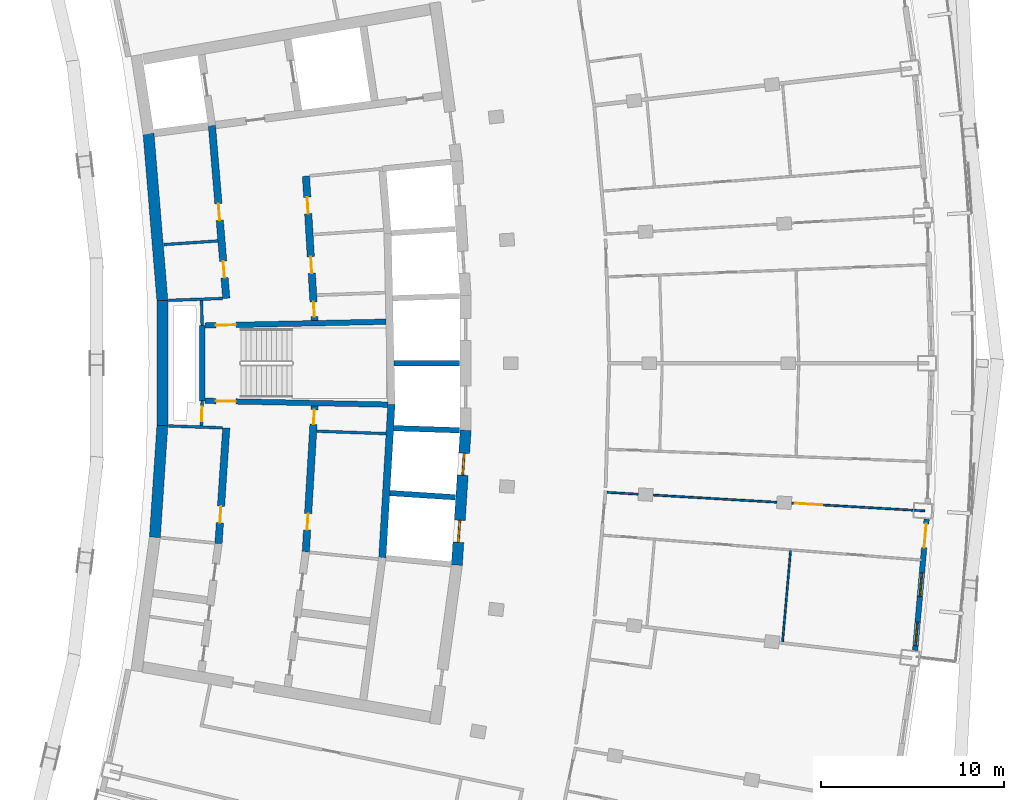
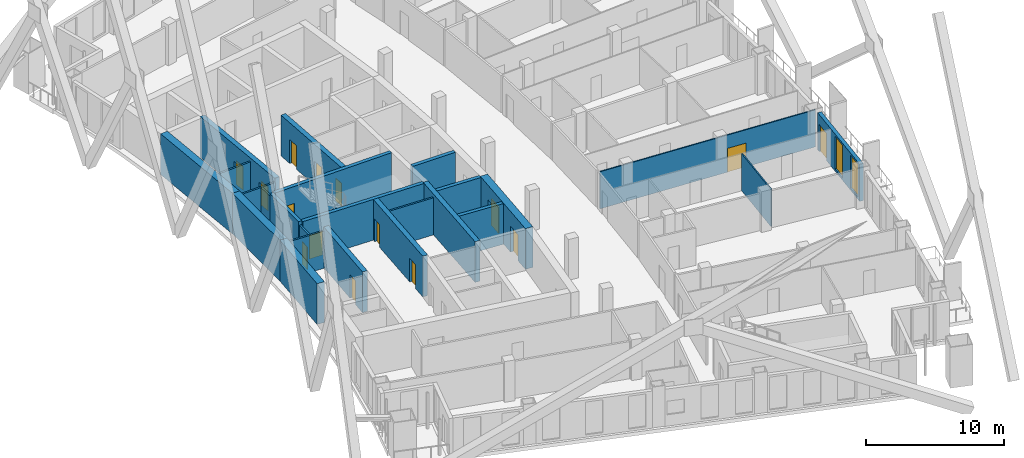
# One storey, part 12 of 20: 24 walls, 15 doors, 2 windows, 17 openings.
"""IFC4 building model written with IfcOpenShell, lengths in metres."""

from ifc_helpers import new_model, si_unit, direction, frame, frame_2d, origin, place, context, subcontext, project, spatial, rectangle, extrude, material, layer, layer_set, type_object, element, fill, save


model = new_model("IFC4")

# Units and contexts
model_context = context("Model", 3, precision=1e-05, world=origin(), true_north=direction((0.0, 1.0)))
body_context = subcontext(model_context, "Body", "Model", "MODEL_VIEW")
ifc_project = project(units=[si_unit("LENGTHUNIT", "METRE"), si_unit("AREAUNIT", "SQUARE_METRE"), si_unit("VOLUMEUNIT", "CUBIC_METRE"), si_unit("PLANEANGLEUNIT", "RADIAN"), si_unit("MASSUNIT", "GRAM", prefix="KILO")], contexts=[model_context])

# Site, building, storey
site_placement = place(None, origin())
site = spatial("IfcSite", under=ifc_project, at=site_placement, CompositionType="ELEMENT")
building_placement = place(site_placement, origin())
building = spatial("IfcBuilding", under=site, at=building_placement, Name="Alderwake Tower", CompositionType="ELEMENT")
storey_placement = place(building_placement, frame((0.0, 0.0, 189.199951171875)))
storey = spatial("IfcBuildingStorey", under=building, at=storey_placement, Name="L46", CompositionType="ELEMENT", Elevation=189.199951171875)

# Wall
ifc_material_1 = material(Name="Gypsum shaft wall system, rated")
ifc_layer_1 = layer(ifc_material_1, 0.14990234375)
ifc_layer_set_1 = layer_set([ifc_layer_1], Name="Core riser partition 150")
wall_type_1 = type_object("IfcWallType", Name="Core riser partition 150", PredefinedType="PARTITIONING", material=ifc_layer_set_1)
wall_1_placement = place(storey_placement, frame((25.1904296875, 57.276611328125, 0.0), z_axis=(0.0, 0.0, 1.0), x_axis=(0.999373547283, -0.03539086028, 0.0)))
element("IfcWall", 1, at=wall_1_placement, inside=storey, type_object=wall_type_1, Name="CW/L46/PR-37_+86", PredefinedType="PARTITIONING", context=body_context, shape_type="SweptSolid", body=[
    extrude(rectangle(XDim=3.794189453125, YDim=0.14990234375, at=frame_2d((1.89697265625, 0.0))), origin(), (0.0, 0.0, 1.0), 3.280029296875),
])

# Wall, opening, door
ifc_material_2 = material(Name="Gypsum shaft wall system, rated")
ifc_layer_2 = layer(ifc_material_2, 0.14990234375)
ifc_layer_set_2 = layer_set([ifc_layer_2], Name="Core room partition 150")
wall_type_2 = type_object("IfcWallType", Name="Core room partition 150", PredefinedType="PARTITIONING", material=ifc_layer_set_2)
wall_2_placement = place(storey_placement, frame((18.918701171875, 58.94384765625, 0.0), z_axis=(0.0, 0.0, 1.0), x_axis=(-0.027811602725, -0.999613182563, 0.0)))
wall_2 = element("IfcWall", 2, at=wall_2_placement, inside=storey, type_object=wall_type_2, Name="CW/L46/PA+24_-37", PredefinedType="PARTITIONING", context=body_context, shape_type="SweptSolid", body=[
    extrude(rectangle(XDim=1.369384765625, YDim=0.14990234375, at=frame_2d((0.6845703125, 0.0))), origin(), (0.0, 0.0, 1.0), 3.280029296875),
])
opening_1_placement = place(wall_2_placement, frame((0.322998046875, 0.0, 0.0)))
opening_1 = element("IfcOpeningElement", 3, at=opening_1_placement, cuts=wall_2, Name="Opening C004", PredefinedType="OPENING", context=body_context, shape_type="SweptSolid", body=[
    extrude(rectangle(XDim=0.800048828125, YDim=2.0, at=frame_2d((0.39990234375, 1.0))), frame((0.0, 0.0849609375, 0.0), z_axis=(0.0, -1.0, 0.0), x_axis=(1.0, 0.0, 0.0)), (0.0, 0.0, 1.0), 0.169921875),
])
ifc_material_3 = material(Name="Painted steel leaf, rated", Category="steel")
door_type_1 = type_object("IfcDoorType", Name="Riser access door 800", OperationType="SINGLE_SWING_LEFT", PredefinedType="DOOR", material=ifc_material_3)
door_1_placement = place(opening_1_placement, origin())
door_1 = element("IfcDoor", 4, at=door_1_placement, inside=storey, type_object=door_type_1, Name="Riser access door", OperationType="SINGLE_SWING_RIGHT", OverallHeight=2.0, OverallWidth=0.800048828125, PredefinedType="DOOR", context=body_context, shape_type="SweptSolid", body=[
    extrude(rectangle(XDim=0.800048828125, YDim=2.0, at=frame_2d((0.39990234375, 1.0))), frame((0.0, 0.02490234375, 0.0), z_axis=(0.0, -1.0, 0.0), x_axis=(1.0, 0.0, 0.0)), (0.0, 0.0, 1.0), 0.050048828125),
])
fill(opening_1, door_1)

# Walls
wall_3_placement = place(storey_placement, frame((18.918701171875, 63.05517578125, 0.0), z_axis=(0.0, 0.0, 1.0), x_axis=(-0.027791791559, 0.99961373356, 0.0)))
element("IfcWall", 5, at=wall_3_placement, inside=storey, type_object=wall_type_2, Name="CW/L46/PA+24_+22", PredefinedType="PARTITIONING", context=body_context, shape_type="SweptSolid", body=[
    extrude(rectangle(XDim=1.370361328125, YDim=0.14990234375, at=frame_2d((0.68505859375, 0.0))), origin(), (0.0, 0.0, 1.0), 3.280029296875),
])
for number, where, z_axis, x_axis, name in (
    (6, (17.0693359375, 57.56396484375, 0.0), (0.0, 0.0, 1.0), (0.999374945052, -0.03535136775, 0.0), "CW/L46/PR-37_+0"),
    (7, (17.0693359375, 64.43603515625, 0.0), (0.0, 0.0, 1.0), (0.999374945052, 0.03535136775, 0.0), "CW/L46/PR+37_+0"),
):
    element("IfcWall", number, at=place(storey_placement, frame(where, z_axis=z_axis, x_axis=x_axis)), inside=storey, type_object=wall_type_2, Name=name, PredefinedType="PARTITIONING", context=body_context, shape_type="SweptSolid", body=[
        extrude(rectangle(XDim=2.9697265625, YDim=0.14990234375, at=frame_2d((1.48486328125, 0.0))), origin(), (0.0, 0.0, 1.0), 3.280029296875),
    ])
wall_4_placement = place(storey_placement, frame((16.81640625, 67.490478515625, 0.0), z_axis=(0.0, 0.0, 1.0), x_axis=(0.997758859926, 0.066912311566, 0.0)))
element("IfcWall", 8, at=wall_4_placement, inside=storey, type_object=wall_type_2, Name="CW/L46/PR+70_+0", PredefinedType="PARTITIONING", context=body_context, shape_type="SweptSolid", body=[
    extrude(rectangle(XDim=2.96630859375, YDim=0.14990234375, at=frame_2d((1.483154296875, 0.0))), origin(), (0.0, 0.0, 1.0), 3.280029296875),
])
ifc_material_4 = material(Name="Concrete C70/85", Category="concrete")
ifc_layer_3 = layer(ifc_material_4, 0.60009765625)
ifc_layer_set_3 = layer_set([ifc_layer_3], Name="Core wall outer 600 C70-85")
wall_type_3 = type_object("IfcWallType", Name="Core wall outer 600 C70-85", PredefinedType="SHEAR", material=ifc_layer_set_3)
wall_5_placement = place(storey_placement, frame((16.330078125, 51.469970703125, 0.0), z_axis=(0.0, 0.0, 1.0), x_axis=(0.066870582109, 0.997761657536, 0.0)))
element("IfcWall", 9, at=wall_5_placement, inside=storey, type_object=wall_type_3, Name="Core wall CW.036", PredefinedType="SHEAR", context=body_context, shape_type="SweptSolid", body=[
    extrude(rectangle(XDim=6.1298828125, YDim=0.60009765625, at=frame_2d((3.06494140625, 0.0))), origin(), (0.0, 0.0, 1.0), 3.60009765625),
])
wall_6_placement = place(storey_placement, frame((16.739501953125, 57.565185546875, 0.0), z_axis=(0.0, 0.0, 1.0), x_axis=(0.0, 1.0, 0.0)))
element("IfcWall", 10, at=wall_6_placement, inside=storey, type_object=wall_type_3, Name="Core wall CW.038", PredefinedType="SHEAR", context=body_context, shape_type="SweptSolid", body=[
    extrude(rectangle(XDim=6.8720703125, YDim=0.60009765625, at=frame_2d((3.43603515625, 0.0))), origin(), (0.0, 0.0, 1.0), 3.60009765625),
])
wall_7_placement = place(storey_placement, frame((16.740478515625, 64.411376953125, 0.0), z_axis=(0.0, 0.0, 1.0), x_axis=(-0.082614307012, 0.996581595393, 0.0)))
element("IfcWall", 11, at=wall_7_placement, inside=storey, type_object=wall_type_3, Name="Core wall CW.035", PredefinedType="SHEAR", context=body_context, shape_type="SweptSolid", body=[
    extrude(rectangle(XDim=9.184814453125, YDim=0.60009765625, at=frame_2d((4.59228515625, 0.0))), origin(), (0.0, 0.0, 1.0), 3.60009765625),
])

# Wall, openings, doors
wall_8_placement = place(storey_placement, frame((32.860107421875, 49.9453125, 0.0), z_axis=(0.0, 0.0, 1.0), x_axis=(0.065013379938, 0.997884392317, 0.0)))
wall_8 = element("IfcWall", 12, at=wall_8_placement, inside=storey, type_object=wall_type_3, Name="Core wall CW.016", PredefinedType="SHEAR", context=body_context, shape_type="SweptSolid", body=[
    extrude(rectangle(XDim=7.39404296875, YDim=0.60009765625, at=frame_2d((3.697021484375, 0.0))), origin(), (0.0, 0.0, 1.0), 3.60009765625),
])
opening_2_placement = place(wall_8_placement, frame((1.254150390625, 0.0, 0.0)))
opening_2 = element("IfcOpeningElement", 13, at=opening_2_placement, cuts=wall_8, Name="Opening LD-HP1", PredefinedType="OPENING", context=body_context, shape_type="SweptSolid", body=[
    extrude(rectangle(XDim=1.199951171875, YDim=2.300048828125, at=frame_2d((0.60009765625, 1.14990234375))), frame((0.0, 0.31005859375, 0.0), z_axis=(0.0, -1.0, 0.0), x_axis=(1.0, 0.0, 0.0)), (0.0, 0.0, 1.0), 0.6201171875),
])
opening_3_placement = place(wall_8_placement, frame((4.941162109375, 0.0, 0.0)))
opening_3 = element("IfcOpeningElement", 14, at=opening_3_placement, cuts=wall_8, Name="Opening LD-HP2", PredefinedType="OPENING", context=body_context, shape_type="SweptSolid", body=[
    extrude(rectangle(XDim=1.199951171875, YDim=2.300048828125, at=frame_2d((0.60009765625, 1.14990234375))), frame((0.0, 0.31005859375, 0.0), z_axis=(0.0, -1.0, 0.0), x_axis=(1.0, 0.0, 0.0)), (0.0, 0.0, 1.0), 0.6201171875),
])
ifc_material_5 = material(Name="Stainless steel sliding leaf", Category="steel")
door_type_2 = type_object("IfcDoorType", Name="Lift landing door 1200", OperationType="SLIDING_TO_LEFT", PredefinedType="DOOR", material=ifc_material_5)
door_2_placement = place(opening_2_placement, origin())
door_2 = element("IfcDoor", 15, at=door_2_placement, inside=storey, type_object=door_type_2, Name="Lift landing door HP1", OperationType="SLIDING_TO_LEFT", OverallHeight=2.300048828125, OverallWidth=1.199951171875, PredefinedType="DOOR", context=body_context, shape_type="SweptSolid", body=[
    extrude(rectangle(XDim=1.199951171875, YDim=2.300048828125, at=frame_2d((0.60009765625, 1.14990234375))), frame((0.0, 0.050048828125, 0.0), z_axis=(0.0, -1.0, 0.0), x_axis=(1.0, 0.0, 0.0)), (0.0, 0.0, 1.0), 0.10009765625),
])
fill(opening_2, door_2)
door_3_placement = place(opening_3_placement, origin())
door_3 = element("IfcDoor", 16, at=door_3_placement, inside=storey, type_object=door_type_2, Name="Lift landing door HP2", OperationType="SLIDING_TO_LEFT", OverallHeight=2.300048828125, OverallWidth=1.199951171875, PredefinedType="DOOR", context=body_context, shape_type="SweptSolid", body=[
    extrude(rectangle(XDim=1.199951171875, YDim=2.300048828125, at=frame_2d((0.60009765625, 1.14990234375))), frame((0.0, 0.050048828125, 0.0), z_axis=(0.0, -1.0, 0.0), x_axis=(1.0, 0.0, 0.0)), (0.0, 0.0, 1.0), 0.10009765625),
])
fill(opening_3, door_3)

# Walls
ifc_material_6 = material(Name="Concrete C70/85", Category="concrete")
ifc_layer_4 = layer(ifc_material_6, 0.300048828125)
ifc_layer_set_4 = layer_set([ifc_layer_4], Name="Core wall shaft 300 C70-85")
wall_type_4 = type_object("IfcWallType", Name="Core wall shaft 300 C70-85", PredefinedType="SHEAR", material=ifc_layer_set_4)
wall_9_placement = place(storey_placement, frame((29.190185546875, 53.8896484375, 0.0), z_axis=(0.0, 0.0, 1.0), x_axis=(0.997887207314, -0.064970158371, 0.0)))
element("IfcWall", 17, at=wall_9_placement, inside=storey, type_object=wall_type_4, Name="Core wall CW.078", PredefinedType="SHEAR", context=body_context, shape_type="SweptSolid", body=[
    extrude(rectangle(XDim=3.588623046875, YDim=0.300048828125, at=frame_2d((1.79443359375, 0.0))), origin(), (0.0, 0.0, 1.0), 3.60009765625),
])
wall_10_placement = place(storey_placement, frame((29.400634765625, 57.441650390625, 0.0), z_axis=(0.0, 0.0, 1.0), x_axis=(0.999471151072, -0.032517966969, 0.0)))
element("IfcWall", 18, at=wall_10_placement, inside=storey, type_object=wall_type_4, Name="Core wall CW.075", PredefinedType="SHEAR", context=body_context, shape_type="SweptSolid", body=[
    extrude(rectangle(XDim=3.611328125, YDim=0.300048828125, at=frame_2d((1.8056640625, 0.0))), origin(), (0.0, 0.0, 1.0), 3.60009765625),
])
wall_11_placement = place(storey_placement, frame((29.426025390625, 61.0, 0.0), z_axis=(0.0, 0.0, 1.0), x_axis=(1.0, 0.0, 0.0)))
element("IfcWall", 19, at=wall_11_placement, inside=storey, type_object=wall_type_4, Name="Core wall CW.048", PredefinedType="SHEAR", context=body_context, shape_type="SweptSolid", body=[
    extrude(rectangle(XDim=3.583984375, YDim=0.300048828125, at=frame_2d((1.7919921875, 0.0))), origin(), (0.0, 0.0, 1.0), 3.60009765625),
])

# Wall, opening, door
ifc_material_7 = material(Name="Concrete C70/85", Category="concrete")
ifc_layer_5 = layer(ifc_material_7, 0.39990234375)
ifc_layer_set_5 = layer_set([ifc_layer_5], Name="Core wall spine 400 C70-85")
wall_type_5 = type_object("IfcWallType", Name="Core wall spine 400 C70-85", PredefinedType="SHEAR", material=ifc_layer_set_5)
wall_12_placement = place(storey_placement, frame((20.2373046875, 57.451904296875, 0.0), z_axis=(0.0, 0.0, 1.0), x_axis=(-0.066884681503, -0.997760712486, 0.0)))
wall_12 = element("IfcWall", 20, at=wall_12_placement, inside=storey, type_object=wall_type_5, Name="Core wall CW.032", PredefinedType="SHEAR", context=body_context, shape_type="SweptSolid", body=[
    extrude(rectangle(XDim=6.336669921875, YDim=0.39990234375, at=frame_2d((3.16845703125, 0.0))), origin(), (0.0, 0.0, 1.0), 3.60009765625),
])
opening_4_placement = place(wall_12_placement, frame((4.297119140625, 0.0, 0.0)))
opening_4 = element("IfcOpeningElement", 21, at=opening_4_placement, cuts=wall_12, Name="Opening C040", PredefinedType="OPENING", context=body_context, shape_type="SweptSolid", body=[
    extrude(rectangle(XDim=0.89990234375, YDim=2.10009765625, at=frame_2d((0.449951171875, 1.050048828125))), frame((0.0, 0.2099609375, 0.0), z_axis=(0.0, -1.0, 0.0), x_axis=(1.0, 0.0, 0.0)), (0.0, 0.0, 1.0), 0.419921875),
])
ifc_material_8 = material(Name="Painted steel leaf", Category="steel")
door_type_3 = type_object("IfcDoorType", Name="Core room door 900", OperationType="SINGLE_SWING_LEFT", PredefinedType="DOOR", material=ifc_material_8)
door_4_placement = place(opening_4_placement, origin())
door_4 = element("IfcDoor", 22, at=door_4_placement, inside=storey, type_object=door_type_3, Name="Room door", OperationType="SINGLE_SWING_RIGHT", OverallHeight=2.10009765625, OverallWidth=0.89990234375, PredefinedType="DOOR", context=body_context, shape_type="SweptSolid", body=[
    extrude(rectangle(XDim=0.89990234375, YDim=2.10009765625, at=frame_2d((0.449951171875, 1.050048828125))), frame((0.0, 0.02490234375, 0.0), z_axis=(0.0, -1.0, 0.0), x_axis=(1.0, 0.0, 0.0)), (0.0, 0.0, 1.0), 0.050048828125),
])
fill(opening_4, door_4)

# Wall, openings, doors
wall_13_placement = place(storey_placement, frame((19.452392578125, 74.014892578125, 0.0), z_axis=(0.0, 0.0, 1.0), x_axis=(0.082628585297, -0.996580411654, 0.0)))
wall_13 = element("IfcWall", 23, at=wall_13_placement, inside=storey, type_object=wall_type_5, Name="Core wall CW.031", PredefinedType="SHEAR", context=body_context, shape_type="SweptSolid", body=[
    extrude(rectangle(XDim=9.499267578125, YDim=0.39990234375, at=frame_2d((4.74951171875, 0.0))), origin(), (0.0, 0.0, 1.0), 3.60009765625),
])
opening_5_placement = place(wall_13_placement, frame((7.468017578125, 0.0, 0.0)))
opening_5 = element("IfcOpeningElement", 24, at=opening_5_placement, cuts=wall_13, Name="Opening C053", PredefinedType="OPENING", context=body_context, shape_type="SweptSolid", body=[
    extrude(rectangle(XDim=0.89990234375, YDim=2.10009765625, at=frame_2d((0.449951171875, 1.050048828125))), frame((0.0, 0.2099609375, 0.0), z_axis=(0.0, -1.0, 0.0), x_axis=(1.0, 0.0, 0.0)), (0.0, 0.0, 1.0), 0.419921875),
])
opening_6_placement = place(wall_13_placement, frame((4.30322265625, 0.0, 0.0)))
opening_6 = element("IfcOpeningElement", 25, at=opening_6_placement, cuts=wall_13, Name="Opening C054", PredefinedType="OPENING", context=body_context, shape_type="SweptSolid", body=[
    extrude(rectangle(XDim=0.89990234375, YDim=2.10009765625, at=frame_2d((0.449951171875, 1.050048828125))), frame((0.0, 0.2099609375, 0.0), z_axis=(0.0, -1.0, 0.0), x_axis=(1.0, 0.0, 0.0)), (0.0, 0.0, 1.0), 0.419921875),
])
door_5_placement = place(opening_5_placement, origin())
door_5 = element("IfcDoor", 26, at=door_5_placement, inside=storey, type_object=door_type_3, Name="Room door", OperationType="SINGLE_SWING_LEFT", OverallHeight=2.10009765625, OverallWidth=0.89990234375, PredefinedType="DOOR", context=body_context, shape_type="SweptSolid", body=[
    extrude(rectangle(XDim=0.89990234375, YDim=2.10009765625, at=frame_2d((0.449951171875, 1.050048828125))), frame((0.0, 0.02490234375, 0.0), z_axis=(0.0, -1.0, 0.0), x_axis=(1.0, 0.0, 0.0)), (0.0, 0.0, 1.0), 0.050048828125),
])
fill(opening_5, door_5)
door_6_placement = place(opening_6_placement, origin())
door_6 = element("IfcDoor", 27, at=door_6_placement, inside=storey, type_object=door_type_3, Name="Room door", OperationType="SINGLE_SWING_RIGHT", OverallHeight=2.10009765625, OverallWidth=0.89990234375, PredefinedType="DOOR", context=body_context, shape_type="SweptSolid", body=[
    extrude(rectangle(XDim=0.89990234375, YDim=2.10009765625, at=frame_2d((0.449951171875, 1.050048828125))), frame((0.0, 0.02490234375, 0.0), z_axis=(0.0, -1.0, 0.0), x_axis=(1.0, 0.0, 0.0)), (0.0, 0.0, 1.0), 0.050048828125),
])
fill(opening_6, door_6)

wall_14_placement = place(storey_placement, frame((24.590087890625, 50.65673828125, 0.0), z_axis=(0.0, 0.0, 1.0), x_axis=(0.060318641452, 0.998179173041, 0.0)))
wall_14 = element("IfcWall", 28, at=wall_14_placement, inside=storey, type_object=wall_type_5, Name="Core wall CW.046", PredefinedType="SHEAR", context=body_context, shape_type="SweptSolid", body=[
    extrude(rectangle(XDim=8.022216796875, YDim=0.39990234375, at=frame_2d((4.01123046875, 0.0))), origin(), (0.0, 0.0, 1.0), 3.60009765625),
])
opening_7_placement = place(wall_14_placement, frame((7.006103515625, 0.0, 0.0)))
opening_7 = element("IfcOpeningElement", 29, at=opening_7_placement, cuts=wall_14, Name="Opening C006", PredefinedType="OPENING", context=body_context, shape_type="SweptSolid", body=[
    extrude(rectangle(XDim=0.800048828125, YDim=2.0, at=frame_2d((0.39990234375, 1.0))), frame((0.0, 0.2099609375, 0.0), z_axis=(0.0, -1.0, 0.0), x_axis=(1.0, 0.0, 0.0)), (0.0, 0.0, 1.0), 0.419921875),
])
opening_8_placement = place(wall_14_placement, frame((1.21533203125, 0.0, 0.0)))
opening_8 = element("IfcOpeningElement", 30, at=opening_8_placement, cuts=wall_14, Name="Opening C046", PredefinedType="OPENING", context=body_context, shape_type="SweptSolid", body=[
    extrude(rectangle(XDim=0.89990234375, YDim=2.10009765625, at=frame_2d((0.449951171875, 1.050048828125))), frame((0.0, 0.2099609375, 0.0), z_axis=(0.0, -1.0, 0.0), x_axis=(1.0, 0.0, 0.0)), (0.0, 0.0, 1.0), 0.419921875),
])
door_7_placement = place(opening_8_placement, origin())
door_7 = element("IfcDoor", 31, at=door_7_placement, inside=storey, type_object=door_type_3, Name="Room door", OperationType="SINGLE_SWING_RIGHT", OverallHeight=2.10009765625, OverallWidth=0.89990234375, PredefinedType="DOOR", context=body_context, shape_type="SweptSolid", body=[
    extrude(rectangle(XDim=0.89990234375, YDim=2.10009765625, at=frame_2d((0.449951171875, 1.050048828125))), frame((0.0, 0.02490234375, 0.0), z_axis=(0.0, -1.0, 0.0), x_axis=(1.0, 0.0, 0.0)), (0.0, 0.0, 1.0), 0.050048828125),
])
fill(opening_8, door_7)
door_8_placement = place(opening_7_placement, origin())
door_8 = element("IfcDoor", 32, at=door_8_placement, inside=storey, type_object=door_type_1, Name="Riser access door", OperationType="SINGLE_SWING_RIGHT", OverallHeight=2.0, OverallWidth=0.800048828125, PredefinedType="DOOR", context=body_context, shape_type="SweptSolid", body=[
    extrude(rectangle(XDim=0.800048828125, YDim=2.0, at=frame_2d((0.39990234375, 1.0))), frame((0.0, 0.02490234375, 0.0), z_axis=(0.0, -1.0, 0.0), x_axis=(1.0, 0.0, 0.0)), (0.0, 0.0, 1.0), 0.050048828125),
])
fill(opening_7, door_8)

wall_15_placement = place(storey_placement, frame((25.073974609375, 63.335693359375, 0.0), z_axis=(0.0, 0.0, 1.0), x_axis=(-0.059848641072, 0.998207463487, 0.0)))
wall_15 = element("IfcWall", 33, at=wall_15_placement, inside=storey, type_object=wall_type_5, Name="Core wall CW.045", PredefinedType="SHEAR", context=body_context, shape_type="SweptSolid", body=[
    extrude(rectangle(XDim=7.913818359375, YDim=0.39990234375, at=frame_2d((3.95703125, 0.0))), origin(), (0.0, 0.0, 1.0), 3.60009765625),
])
opening_9_placement = place(wall_15_placement, frame((0.216064453125, 0.0, 0.0)))
opening_9 = element("IfcOpeningElement", 34, at=opening_9_placement, cuts=wall_15, Name="Opening C005", PredefinedType="OPENING", context=body_context, shape_type="SweptSolid", body=[
    extrude(rectangle(XDim=0.800048828125, YDim=2.0, at=frame_2d((0.39990234375, 1.0))), frame((0.0, 0.2099609375, 0.0), z_axis=(0.0, -1.0, 0.0), x_axis=(1.0, 0.0, 0.0)), (0.0, 0.0, 1.0), 0.419921875),
])
opening_10_placement = place(wall_15_placement, frame((5.856201171875, 0.0, 0.0)))
opening_10 = element("IfcOpeningElement", 35, at=opening_10_placement, cuts=wall_15, Name="Opening C023", PredefinedType="OPENING", context=body_context, shape_type="SweptSolid", body=[
    extrude(rectangle(XDim=0.89990234375, YDim=2.10009765625, at=frame_2d((0.449951171875, 1.050048828125))), frame((0.0, 0.2099609375, 0.0), z_axis=(0.0, -1.0, 0.0), x_axis=(1.0, 0.0, 0.0)), (0.0, 0.0, 1.0), 0.419921875),
])
opening_11_placement = place(wall_15_placement, frame((2.590087890625, 0.0, 0.0)))
opening_11 = element("IfcOpeningElement", 36, at=opening_11_placement, cuts=wall_15, Name="Opening C059", PredefinedType="OPENING", context=body_context, shape_type="SweptSolid", body=[
    extrude(rectangle(XDim=0.89990234375, YDim=2.10009765625, at=frame_2d((0.449951171875, 1.050048828125))), frame((0.0, 0.2099609375, 0.0), z_axis=(0.0, -1.0, 0.0), x_axis=(1.0, 0.0, 0.0)), (0.0, 0.0, 1.0), 0.419921875),
])
door_9_placement = place(opening_10_placement, origin())
door_9 = element("IfcDoor", 37, at=door_9_placement, inside=storey, type_object=door_type_3, Name="Room door", OperationType="SINGLE_SWING_RIGHT", OverallHeight=2.10009765625, OverallWidth=0.89990234375, PredefinedType="DOOR", context=body_context, shape_type="SweptSolid", body=[
    extrude(rectangle(XDim=0.89990234375, YDim=2.10009765625, at=frame_2d((0.449951171875, 1.050048828125))), frame((0.0, 0.02490234375, 0.0), z_axis=(0.0, -1.0, 0.0), x_axis=(1.0, 0.0, 0.0)), (0.0, 0.0, 1.0), 0.050048828125),
])
fill(opening_10, door_9)
door_10_placement = place(opening_11_placement, origin())
door_10 = element("IfcDoor", 38, at=door_10_placement, inside=storey, type_object=door_type_3, Name="Room door", OperationType="SINGLE_SWING_LEFT", OverallHeight=2.10009765625, OverallWidth=0.89990234375, PredefinedType="DOOR", context=body_context, shape_type="SweptSolid", body=[
    extrude(rectangle(XDim=0.89990234375, YDim=2.10009765625, at=frame_2d((0.449951171875, 1.050048828125))), frame((0.0, 0.02490234375, 0.0), z_axis=(0.0, -1.0, 0.0), x_axis=(1.0, 0.0, 0.0)), (0.0, 0.0, 1.0), 0.050048828125),
])
fill(opening_11, door_10)
door_11_placement = place(opening_9_placement, origin())
door_11 = element("IfcDoor", 39, at=door_11_placement, inside=storey, type_object=door_type_1, Name="Riser access door", OperationType="SINGLE_SWING_LEFT", OverallHeight=2.0, OverallWidth=0.800048828125, PredefinedType="DOOR", context=body_context, shape_type="SweptSolid", body=[
    extrude(rectangle(XDim=0.800048828125, YDim=2.0, at=frame_2d((0.39990234375, 1.0))), frame((0.0, 0.02490234375, 0.0), z_axis=(0.0, -1.0, 0.0), x_axis=(1.0, 0.0, 0.0)), (0.0, 0.0, 1.0), 0.050048828125),
])
fill(opening_9, door_11)

# Walls
wall_16_placement = place(storey_placement, frame((28.780029296875, 50.34765625, 0.0), z_axis=(0.0, 0.0, 1.0), x_axis=(0.05912910263, 0.998250343963, 0.0)))
element("IfcWall", 40, at=wall_16_placement, inside=storey, type_object=wall_type_5, Name="Core wall CW.004", PredefinedType="SHEAR", context=body_context, shape_type="SweptSolid", body=[
    extrude(rectangle(XDim=8.40234375, YDim=0.39990234375, at=frame_2d((4.201171875, 0.0))), origin(), (0.0, 0.0, 1.0), 3.60009765625),
])
ifc_material_9 = material(Name="Concrete C70/85", Category="concrete")
ifc_layer_6 = layer(ifc_material_9, 0.300048828125)
ifc_layer_set_6 = layer_set([ifc_layer_6], Name="Core wall stair enclosure 300 C70-85")
wall_type_6 = type_object("IfcWallType", Name="Core wall stair enclosure 300 C70-85", PredefinedType="SHEAR", material=ifc_layer_set_6)
wall_17_placement = place(storey_placement, frame((18.918701171875, 58.940673828125, 0.0), z_axis=(0.0, 0.0, 1.0), x_axis=(0.0, 1.0, 0.0)))
element("IfcWall", 41, at=wall_17_placement, inside=storey, type_object=wall_type_6, Name="Core wall CW.024", PredefinedType="SHEAR", context=body_context, shape_type="SweptSolid", body=[
    extrude(rectangle(XDim=4.11962890625, YDim=0.300048828125, at=frame_2d((2.059814453125, 0.0))), origin(), (0.0, 0.0, 1.0), 3.60009765625),
])

# Wall, opening, door
wall_18_placement = place(storey_placement, frame((29.076416015625, 58.73095703125, 0.0), z_axis=(0.0, 0.0, 1.0), x_axis=(-0.99978356433, 0.020804434533, 0.0)))
wall_18 = element("IfcWall", 42, at=wall_18_placement, inside=storey, type_object=wall_type_6, Name="Core wall CW.074", PredefinedType="SHEAR", context=body_context, shape_type="SweptSolid", body=[
    extrude(rectangle(XDim=10.010009765625, YDim=0.300048828125, at=frame_2d((5.0048828125, 0.0))), origin(), (0.0, 0.0, 1.0), 3.60009765625),
])
opening_12_placement = place(wall_18_placement, frame((8.309814453125, 0.0, 0.0)))
opening_12 = element("IfcOpeningElement", 43, at=opening_12_placement, cuts=wall_18, Name="Opening C063", PredefinedType="OPENING", context=body_context, shape_type="SweptSolid", body=[
    extrude(rectangle(XDim=1.10009765625, YDim=2.10009765625, at=frame_2d((0.550048828125, 1.050048828125))), frame((0.0, 0.159912109375, 0.0), z_axis=(0.0, -1.0, 0.0), x_axis=(1.0, 0.0, 0.0)), (0.0, 0.0, 1.0), 0.320068359375),
])
ifc_material_10 = material(Name="Steel-framed fire door leaf", Category="steel")
door_type_4 = type_object("IfcDoorType", Name="Core stair door 1100 fire-rated", OperationType="SINGLE_SWING_LEFT", PredefinedType="DOOR", material=ifc_material_10)
door_12_placement = place(opening_12_placement, origin())
door_12 = element("IfcDoor", 44, at=door_12_placement, inside=storey, type_object=door_type_4, Name="Stair door", OperationType="SINGLE_SWING_RIGHT", OverallHeight=2.10009765625, OverallWidth=1.10009765625, PredefinedType="DOOR", context=body_context, shape_type="SweptSolid", body=[
    extrude(rectangle(XDim=1.10009765625, YDim=2.10009765625, at=frame_2d((0.550048828125, 1.050048828125))), frame((0.0, 0.02490234375, 0.0), z_axis=(0.0, -1.0, 0.0), x_axis=(1.0, 0.0, 0.0)), (0.0, 0.0, 1.0), 0.050048828125),
])
fill(opening_12, door_12)

wall_19_placement = place(storey_placement, frame((19.068603515625, 63.060791015625, 0.0), z_axis=(0.0, 0.0, 1.0), x_axis=(0.999783782948, 0.020793925895, 0.0)))
wall_19 = element("IfcWall", 45, at=wall_19_placement, inside=storey, type_object=wall_type_6, Name="Core wall CW.057", PredefinedType="SHEAR", context=body_context, shape_type="SweptSolid", body=[
    extrude(rectangle(XDim=9.909423828125, YDim=0.300048828125, at=frame_2d((4.95458984375, 0.0))), origin(), (0.0, 0.0, 1.0), 3.60009765625),
])
opening_13_placement = place(wall_19_placement, frame((0.60009765625, 0.0, 0.0)))
opening_13 = element("IfcOpeningElement", 46, at=opening_13_placement, cuts=wall_19, Name="Opening C064", PredefinedType="OPENING", context=body_context, shape_type="SweptSolid", body=[
    extrude(rectangle(XDim=1.10009765625, YDim=2.10009765625, at=frame_2d((0.550048828125, 1.050048828125))), frame((0.0, 0.159912109375, 0.0), z_axis=(0.0, -1.0, 0.0), x_axis=(1.0, 0.0, 0.0)), (0.0, 0.0, 1.0), 0.320068359375),
])
door_13_placement = place(opening_13_placement, origin())
door_13 = element("IfcDoor", 47, at=door_13_placement, inside=storey, type_object=door_type_4, Name="Stair door", OperationType="SINGLE_SWING_LEFT", OverallHeight=2.10009765625, OverallWidth=1.10009765625, PredefinedType="DOOR", context=body_context, shape_type="SweptSolid", body=[
    extrude(rectangle(XDim=1.10009765625, YDim=2.10009765625, at=frame_2d((0.550048828125, 1.050048828125))), frame((0.0, 0.02490234375, 0.0), z_axis=(0.0, -1.0, 0.0), x_axis=(1.0, 0.0, 0.0)), (0.0, 0.0, 1.0), 0.050048828125),
])
fill(opening_13, door_13)

# Wall, openings, door, windows
ifc_material_11 = material(Name="Precast concrete C50/60 spandrel panel", Category="concrete")
ifc_layer_7 = layer(ifc_material_11, 0.300048828125)
ifc_layer_set_7 = layer_set([ifc_layer_7], Name="External wall EW1 Precast concrete C50/60 spandrel")
wall_type_7 = type_object("IfcWallType", Name="External wall EW1 Precast concrete C50/60 spandrel", PredefinedType="SOLIDWALL", material=ifc_layer_set_7)
wall_20_placement = place(storey_placement, frame((57.9453125, 45.283203125, 0.0), z_axis=(0.0, 0.0, 1.0), x_axis=(0.087372536775, 0.996175707301, 0.0)))
wall_20 = element("IfcWall", 48, at=wall_20_placement, inside=storey, type_object=wall_type_7, Name="External wall 14", PredefinedType="SOLIDWALL", context=body_context, shape_type="SweptSolid", body=[
    extrude(rectangle(XDim=7.20361328125, YDim=0.300048828125, at=frame_2d((3.601806640625, 0.0))), origin(), (0.0, 0.0, 1.0), 3.280029296875),
])
opening_14_placement = place(wall_20_placement, frame((0.257080078125, 0.0, 0.199951171875)))
opening_14 = element("IfcOpeningElement", 49, at=opening_14_placement, cuts=wall_20, Name="Opening W1", PredefinedType="OPENING", context=body_context, shape_type="SweptSolid", body=[
    extrude(rectangle(XDim=1.300048828125, YDim=2.89990234375, at=frame_2d((0.64990234375, 1.449951171875))), frame((0.0, 0.159912109375, 0.0), z_axis=(0.0, -1.0, 0.0), x_axis=(1.0, 0.0, 0.0)), (0.0, 0.0, 1.0), 0.320068359375),
])
opening_15_placement = place(wall_20_placement, frame((2.951904296875, 0.0, 0.199951171875)))
opening_15 = element("IfcOpeningElement", 50, at=opening_15_placement, cuts=wall_20, Name="Opening W1", PredefinedType="OPENING", context=body_context, shape_type="SweptSolid", body=[
    extrude(rectangle(XDim=1.300048828125, YDim=2.89990234375, at=frame_2d((0.64990234375, 1.449951171875))), frame((0.0, 0.159912109375, 0.0), z_axis=(0.0, -1.0, 0.0), x_axis=(1.0, 0.0, 0.0)), (0.0, 0.0, 1.0), 0.320068359375),
])
opening_16_placement = place(wall_20_placement, frame((5.646484375, 0.0, 0.0)))
opening_16 = element("IfcOpeningElement", 51, at=opening_16_placement, cuts=wall_20, Name="Opening D03", PredefinedType="OPENING", context=body_context, shape_type="SweptSolid", body=[
    extrude(rectangle(XDim=1.300048828125, YDim=2.39990234375, at=frame_2d((0.64990234375, 1.199951171875))), frame((0.0, 0.159912109375, 0.0), z_axis=(0.0, -1.0, 0.0), x_axis=(1.0, 0.0, 0.0)), (0.0, 0.0, 1.0), 0.320068359375),
])
ifc_material_12 = material(Name="Bronze tinted glass in aluminium frame", Category="aluminium")
door_type_5 = type_object("IfcDoorType", Name="Balcony door BD sliding", OperationType="SLIDING_TO_LEFT", PredefinedType="DOOR", material=ifc_material_12)
door_14_placement = place(opening_16_placement, origin())
door_14 = element("IfcDoor", 52, at=door_14_placement, inside=storey, type_object=door_type_5, Name="Door D03", OperationType="SLIDING_TO_LEFT", OverallHeight=2.39990234375, OverallWidth=1.300048828125, PredefinedType="DOOR", context=body_context, shape_type="SweptSolid", body=[
    extrude(rectangle(XDim=1.300048828125, YDim=2.39990234375, at=frame_2d((0.64990234375, 1.199951171875))), frame((0.0, 0.02490234375, 0.0), z_axis=(0.0, -1.0, 0.0), x_axis=(1.0, 0.0, 0.0)), (0.0, 0.0, 1.0), 0.050048828125),
])
fill(opening_16, door_14)
ifc_material_13 = material(Name="Bronze tinted glass in aluminium frame", Category="aluminium")
window_type = type_object("IfcWindowType", Name="Window W1 tall fixed and vent", PartitioningType="DOUBLE_PANEL_VERTICAL", PredefinedType="WINDOW", material=ifc_material_13)
window_1_placement = place(opening_14_placement, origin())
window_1 = element("IfcWindow", 53, at=window_1_placement, inside=storey, type_object=window_type, Name="Window W1 tall fixed and vent", OverallHeight=2.89990234375, OverallWidth=1.300048828125, PartitioningType="DOUBLE_PANEL_VERTICAL", PredefinedType="WINDOW", context=body_context, shape_type="SweptSolid", body=[
    extrude(rectangle(XDim=1.300048828125, YDim=2.89990234375, at=frame_2d((0.64990234375, 1.449951171875))), frame((0.0, 0.030029296875, 0.0), z_axis=(0.0, -1.0, 0.0), x_axis=(1.0, 0.0, 0.0)), (0.0, 0.0, 1.0), 0.06005859375),
])
fill(opening_14, window_1)
window_2_placement = place(opening_15_placement, origin())
window_2 = element("IfcWindow", 54, at=window_2_placement, inside=storey, type_object=window_type, Name="Window W1 tall fixed and vent", OverallHeight=2.89990234375, OverallWidth=1.300048828125, PartitioningType="DOUBLE_PANEL_VERTICAL", PredefinedType="WINDOW", context=body_context, shape_type="SweptSolid", body=[
    extrude(rectangle(XDim=1.300048828125, YDim=2.89990234375, at=frame_2d((0.64990234375, 1.449951171875))), frame((0.0, 0.030029296875, 0.0), z_axis=(0.0, -1.0, 0.0), x_axis=(1.0, 0.0, 0.0)), (0.0, 0.0, 1.0), 0.06005859375),
])
fill(opening_15, window_2)

# Wall
ifc_material_14 = material(Name="Gypsum board on metal studs")
ifc_layer_8 = layer(ifc_material_14, 0.10009765625)
ifc_layer_set_8 = layer_set([ifc_layer_8], Name="Unit partition 100")
wall_type_8 = type_object("IfcWallType", Name="Unit partition 100", PredefinedType="PARTITIONING", material=ifc_layer_set_8)
wall_21_placement = place(storey_placement, frame((50.68896484375, 45.763671875, 0.0), z_axis=(0.0, 0.0, 1.0), x_axis=(0.087343685822, 0.996178237339, 0.0)))
element("IfcWall", 55, at=wall_21_placement, inside=storey, type_object=wall_type_8, Name="WL/L46/W51", PredefinedType="PARTITIONING", context=body_context, shape_type="SweptSolid", body=[
    extrude(rectangle(XDim=4.986572265625, YDim=0.10009765625, at=frame_2d((2.4931640625, 0.0))), origin(), (0.0, 0.0, 1.0), 3.280029296875),
])

# Wall, opening, door
wall_22_placement = place(storey_placement, frame((41.074951171875, 53.92919921875, 0.0), z_axis=(0.0, 0.0, 1.0), x_axis=(0.998300373254, -0.058278338696, 0.0)))
wall_22 = element("IfcWall", 56, at=wall_22_placement, inside=storey, type_object=wall_type_8, Name="WL/L46/W55", PredefinedType="PARTITIONING", context=body_context, shape_type="SweptSolid", body=[
    extrude(rectangle(XDim=17.418701171875, YDim=0.10009765625, at=frame_2d((8.70947265625, 0.0))), origin(), (0.0, 0.0, 1.0), 3.280029296875),
])
opening_17_placement = place(wall_22_placement, frame((10.311279296875, 0.0, 0.0)))
opening_17 = element("IfcOpeningElement", 57, at=opening_17_placement, cuts=wall_22, Name="Opening R13-U04.8", PredefinedType="OPENING", context=body_context, shape_type="SweptSolid", body=[
    extrude(rectangle(XDim=1.5, YDim=2.10009765625, at=frame_2d((0.75, 1.050048828125))), frame((0.0, 0.06005859375, 0.0), z_axis=(0.0, -1.0, 0.0), x_axis=(1.0, 0.0, 0.0)), (0.0, 0.0, 1.0), 0.1201171875),
])
ifc_material_15 = material(Name="Painted timber leaves", Category="wood")
door_type_6 = type_object("IfcDoorType", Name="Double leaf door 1500", OperationType="DOUBLE_DOOR_SINGLE_SWING", PredefinedType="DOOR", material=ifc_material_15)
door_15_placement = place(opening_17_placement, origin())
door_15 = element("IfcDoor", 58, at=door_15_placement, inside=storey, type_object=door_type_6, Name="DR/L46/U04.8", OperationType="DOUBLE_DOOR_SINGLE_SWING", OverallHeight=2.10009765625, OverallWidth=1.5, PredefinedType="DOOR", context=body_context, shape_type="SweptSolid", body=[
    extrude(rectangle(XDim=1.5, YDim=2.10009765625, at=frame_2d((0.75, 1.050048828125))), frame((0.0, 0.02490234375, 0.0), z_axis=(0.0, -1.0, 0.0), x_axis=(1.0, 0.0, 0.0)), (0.0, 0.0, 1.0), 0.050048828125),
])
fill(opening_17, door_15)

save(model, "model.ifc")
